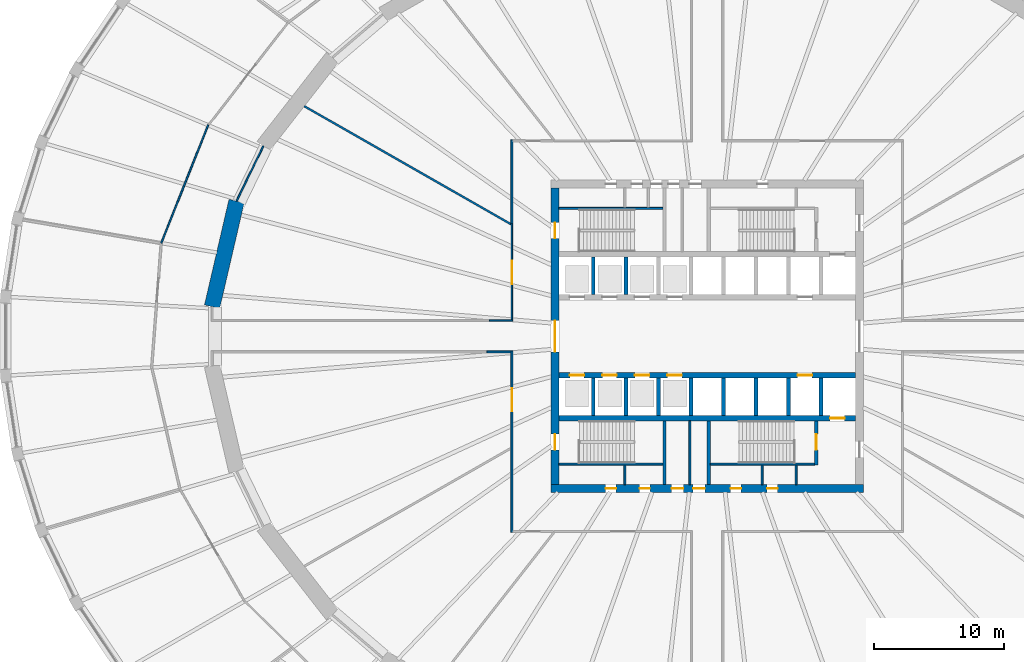
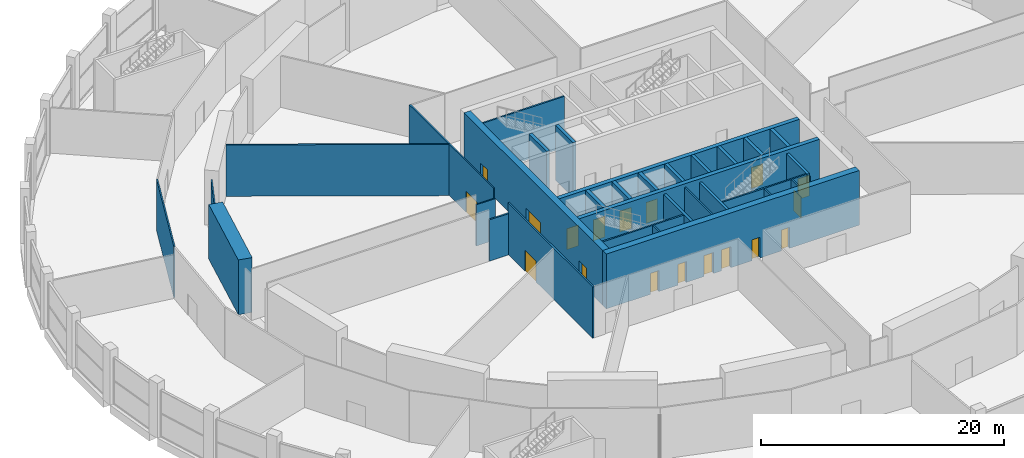
# One storey, part 21 of 29: 33 walls, 18 doors, 18 openings.
"""IFC4 building model written with IfcOpenShell, lengths in metres."""

import ifcopenshell
import ifcopenshell.guid

model = None  # the IFC model being written
_history = None  # IfcOwnerHistory: only IFC2X3 demands one
_inside = {}  # id of a spatial element -> (the spatial element, [elements in it])
_under = {}  # id of a project, library or spatial element -> (it, [spatial elements below it])
_declared = {}  # id of a project -> (the project, [libraries it declares])
_typed = {}  # id of a type object -> (the type object, [elements of that type])
_made_of = {}  # id of a material, layer set ... -> (it, [elements and type objects made of it])


def new_model(schema):
    """Start an empty IFC model of exactly this schema.

    Asked for "IFC4X3", IfcOpenShell would pick the latest addendum, in which some entities
    have other attributes; the version numbers below select the first issue.
    IFC2X3 requires an IfcOwnerHistory on every rooted entity: one is made here for all.
    """
    global model, _history
    if schema == "IFC4X3":
        model = ifcopenshell.file(schema_version=(4, 3, 0, 0))
    else:
        model = ifcopenshell.file(schema=schema)
    _inside.clear()
    _under.clear()
    _declared.clear()
    _typed.clear()
    _made_of.clear()
    _history = None
    if model.schema == "IFC2X3":
        org = make("IfcOrganization", Name="unknown")
        user = make(
            "IfcPersonAndOrganization",
            ThePerson=make("IfcPerson", FamilyName="unknown"),
            TheOrganization=org,
        )
        app = make(
            "IfcApplication",
            ApplicationDeveloper=org,
            Version="unknown",
            ApplicationFullName="unknown",
            ApplicationIdentifier="unknown",
        )
        _history = make(
            "IfcOwnerHistory",
            OwningUser=user,
            OwningApplication=app,
            ChangeAction="ADDED",
            CreationDate=0,
        )
    return model


def make(cls, **values):
    """One entity of the class cls with the attributes given. An attribute that is None is left unset."""
    return model.create_entity(
        cls, **{name: value for name, value in values.items() if value is not None}
    )


def rooted(cls, **values):
    """An entity with a GlobalId (a new one), such as an element, a storey or a relation."""
    return make(cls, GlobalId=ifcopenshell.guid.new(), OwnerHistory=_history, **values)


def si_unit(unit_type, name, prefix=None):
    """IfcSIUnit, for example si_unit("LENGTHUNIT", "METRE", prefix="MILLI")."""
    return make("IfcSIUnit", UnitType=unit_type, Prefix=prefix, Name=name)


def assignment(units):
    """IfcUnitAssignment: the units of a project."""
    return None if units is None else make("IfcUnitAssignment", Units=units)


def point(xyz):
    """IfcCartesianPoint."""
    return None if xyz is None else make("IfcCartesianPoint", Coordinates=xyz)


def direction(xyz):
    """IfcDirection."""
    return None if xyz is None else make("IfcDirection", DirectionRatios=xyz)


def frame(location, z_axis=None, x_axis=None):
    """IfcAxis2Placement3D, a coordinate frame: its origin and axes. An axis left out is left unset."""
    return make(
        "IfcAxis2Placement3D",
        Location=point(location),
        Axis=direction(z_axis),
        RefDirection=direction(x_axis),
    )


def frame_2d(location, x_axis=None):
    """IfcAxis2Placement2D, a coordinate frame in the plane: its origin and x axis."""
    return make(
        "IfcAxis2Placement2D", Location=point(location), RefDirection=direction(x_axis)
    )


def origin():
    """The frame at (0, 0, 0) with its axes left unset."""
    return frame((0.0, 0.0, 0.0))


def place(relative_to, where):
    """IfcLocalPlacement: puts the frame where relative to a parent placement (None: the world)."""
    return make(
        "IfcLocalPlacement", PlacementRelTo=relative_to, RelativePlacement=where
    )


def context(
    kind, dimensions, precision=None, world=None, true_north=None, identifier=None
):
    """IfcGeometricRepresentationContext, for example the 3D "Model" context."""
    return make(
        "IfcGeometricRepresentationContext",
        ContextIdentifier=identifier,
        ContextType=kind,
        CoordinateSpaceDimension=dimensions,
        Precision=precision,
        WorldCoordinateSystem=world,
        TrueNorth=true_north,
    )


def subcontext(parent, identifier, kind, view, scale=None):
    """IfcGeometricRepresentationSubContext, for example "Body" below "Model"."""
    return make(
        "IfcGeometricRepresentationSubContext",
        ContextIdentifier=identifier,
        ContextType=kind,
        ParentContext=parent,
        TargetScale=scale,
        TargetView=view,
    )


def project(units=None, contexts=None):
    """IfcProject with its units and contexts."""
    return rooted(
        "IfcProject",
        Name="project",
        RepresentationContexts=contexts,
        UnitsInContext=assignment(units),
    )


def spatial(cls, under=None, at=None, **own):
    """A site, building, storey or space (cls), placed at a placement, below another one or the project."""
    s = rooted(cls, ObjectPlacement=at, **own)
    if under is not None:
        _under.setdefault(under.id(), (under, []))[1].append(s)
    return s


def polyline(points):
    """IfcPolyline through the points."""
    return make("IfcPolyline", Points=[point(p) for p in points])


def profile(cls, at=None, kind="AREA", **sizes):
    """A parametric profile (cls). Its sizes go by their IFC names, for example OverallWidth=200.0."""
    return make(cls, ProfileType=kind, Position=at, **sizes)


def rectangle(**sizes):
    """IfcRectangleProfileDef."""
    return profile("IfcRectangleProfileDef", **sizes)


def outline(outer, holes=None, kind="AREA"):
    """IfcArbitraryClosedProfileDef: a profile drawn as a closed curve; with holes, ...WithVoids."""
    if holes is None:
        return make("IfcArbitraryClosedProfileDef", ProfileType=kind, OuterCurve=outer)
    return make(
        "IfcArbitraryProfileDefWithVoids",
        ProfileType=kind,
        OuterCurve=outer,
        InnerCurves=holes,
    )


def extrude(swept, where, along, depth):
    """IfcExtrudedAreaSolid: the profile swept, set in the frame where, extruded along a direction by depth."""
    return make(
        "IfcExtrudedAreaSolid",
        SweptArea=swept,
        Position=where,
        ExtrudedDirection=direction(along),
        Depth=depth,
    )


def shape(context_of_items, identifier, shape_type, items):
    """IfcShapeRepresentation: the items that make up one representation, for example the "Body"."""
    return make(
        "IfcShapeRepresentation",
        ContextOfItems=context_of_items,
        RepresentationIdentifier=identifier,
        RepresentationType=shape_type,
        Items=items,
    )


def material(Name=None, Category=None):
    """IfcMaterial."""
    return make("IfcMaterial", Name=Name, Category=Category)


def layer(
    of_material, thickness, ventilated=None, Name=None, Category=None, Priority=None
):
    """IfcMaterialLayer: one layer of a wall or slab, of a material (None: an air gap)."""
    return make(
        "IfcMaterialLayer",
        Material=of_material,
        LayerThickness=thickness,
        IsVentilated=ventilated,
        Name=Name,
        Category=Category,
        Priority=Priority,
    )


def layer_set(layers, Name=None):
    """IfcMaterialLayerSet."""
    return make("IfcMaterialLayerSet", MaterialLayers=layers, LayerSetName=Name)


def made_of(thing, what):
    """Note that an element or type object is made of a material, layer set ...; save() writes the relation."""
    if what is not None:
        _made_of.setdefault(what.id(), (what, []))[1].append(thing)
    return thing


def type_object(cls, material=None, **own):
    """A type object (cls), such as IfcWallType, which elements share."""
    return made_of(rooted(cls, **own), material)


def element(
    cls,
    number,
    at=None,
    inside=None,
    cuts=None,
    type_object=None,
    material=None,
    context=None,
    identifier="Body",
    shape_type=None,
    held_by="IfcProductDefinitionShape",
    body=None,
    shapes=None,
    **own,
):
    """One element of the class cls, such as IfcWall. Its Tag is "e" and its number.

    at: its placement. inside: the storey or other place that contains it. cuts: it is an
    opening in that element (IfcRelVoidsElement). A single representation is given by context,
    identifier, shape_type and body (its items); several are given by shapes. held_by: the class
    of the entity that holds the representations. save() writes the other relations.
    """
    e = rooted(cls, Tag="e%d" % number, ObjectPlacement=at, **own)
    if body is not None:
        shapes = [shape(context, identifier, shape_type, body)]
    if shapes is not None:
        e.Representation = make(held_by, Representations=shapes)
    if inside is not None:
        _inside.setdefault(inside.id(), (inside, []))[1].append(e)
    if cuts is not None:
        rooted(
            "IfcRelVoidsElement", RelatingBuildingElement=cuts, RelatedOpeningElement=e
        )
    if type_object is not None:
        _typed.setdefault(type_object.id(), (type_object, []))[1].append(e)
    return made_of(e, material)


def fill(opening, filler):
    """IfcRelFillsElement: the door or window that sits in an opening."""
    return rooted(
        "IfcRelFillsElement",
        RelatingOpeningElement=opening,
        RelatedBuildingElement=filler,
    )


def aggregate(whole, parts):
    """IfcRelAggregates: a whole, such as a stair, and the parts it consists of."""
    return rooted("IfcRelAggregates", RelatingObject=whole, RelatedObjects=parts)


def save(model, path):
    """Write the relations noted so far, then the file.

    IfcRelAggregates (storeys below a building ...), IfcRelContainedInSpatialStructure (elements
    in a storey), IfcRelDefinesByType, IfcRelAssociatesMaterial and IfcRelDeclares: one each for
    every whole, place, type object, material and project.
    """
    for whole, parts in _under.values():
        aggregate(whole, parts)
    for where, things in _inside.values():
        rooted(
            "IfcRelContainedInSpatialStructure",
            RelatedElements=things,
            RelatingStructure=where,
        )
    for kind, things in _typed.values():
        rooted("IfcRelDefinesByType", RelatedObjects=things, RelatingType=kind)
    for what, things in _made_of.values():
        rooted("IfcRelAssociatesMaterial", RelatedObjects=things, RelatingMaterial=what)
    for by, libraries in _declared.values():
        rooted("IfcRelDeclares", RelatingContext=by, RelatedDefinitions=libraries)
    model.write(path)


model = new_model("IFC4")

# Units and contexts
model_context = context("Model", 3, precision=1e-05, world=origin(), true_north=direction((0.0, 1.0)))
body_context = subcontext(model_context, "Body", "Model", "MODEL_VIEW")
ifc_project = project(units=[si_unit("LENGTHUNIT", "METRE"), si_unit("AREAUNIT", "SQUARE_METRE"), si_unit("VOLUMEUNIT", "CUBIC_METRE"), si_unit("PLANEANGLEUNIT", "RADIAN"), si_unit("MASSUNIT", "GRAM", prefix="KILO")], contexts=[model_context])

# Site, building, storey
site_placement = place(None, origin())
site = spatial("IfcSite", under=ifc_project, at=site_placement, CompositionType="ELEMENT")
building_placement = place(site_placement, origin())
building = spatial("IfcBuilding", under=site, at=building_placement, Name="Halqa Exchange Tower", CompositionType="ELEMENT")
storey_placement = place(building_placement, frame((0.0, 0.0, 12.5)))
storey = spatial("IfcBuildingStorey", under=building, at=storey_placement, Name="L02", CompositionType="ELEMENT", Elevation=12.5)

# Wall, opening, door
ifc_material_1 = material(Name="Fire-rated gypsum board")
ifc_layer_1 = layer(ifc_material_1, 0.14990234375)
ifc_layer_set_1 = layer_set([ifc_layer_1], Name="Fire-rated gypsum board")
wall_type_1 = type_object("IfcWallType", Name="Fire partition EI 60 150", PredefinedType="PARTITIONING", material=ifc_layer_set_1)
wall_1_placement = place(storey_placement, frame((-15.0, -15.074951171875, 0.0), z_axis=(0.0, 0.0, 1.0), x_axis=(0.0, 1.0, 0.0)))
wall_1 = element("IfcWall", 1, at=wall_1_placement, inside=storey, type_object=wall_type_1, Name="L02-PWL-028", PredefinedType="PARTITIONING", context=body_context, shape_type="SweptSolid", body=[
    extrude(rectangle(XDim=13.949951171875, YDim=0.14990234375, at=frame_2d((6.97509765625, 0.0))), origin(), (0.0, 0.0, 1.0), 5.14990234375),
])
opening_1_placement = place(wall_1_placement, frame((9.292724609375, 0.0, 0.0)))
opening_1 = element("IfcOpeningElement", 2, at=opening_1_placement, cuts=wall_1, Name="Opening L02-08", PredefinedType="OPENING", context=body_context, shape_type="SweptSolid", body=[
    extrude(rectangle(XDim=1.800048828125, YDim=2.10009765625, at=frame_2d((0.89990234375, 1.050048828125))), frame((0.0, 0.0869140625, 0.0), z_axis=(0.0, -1.0, 0.0), x_axis=(1.0, 0.0, 0.0)), (0.0, 0.0, 1.0), 0.173828125),
])
ifc_material_2 = material(Name="Steel fire door leaf", Category="steel")
door_type_1 = type_object("IfcDoorType", Name="Fire door FD30S double 1800 x 2100", OperationType="DOUBLE_DOOR_SINGLE_SWING", PredefinedType="DOOR", material=ifc_material_2)
door_1_placement = place(opening_1_placement, origin())
door_1 = element("IfcDoor", 3, at=door_1_placement, inside=storey, type_object=door_type_1, Name="L02-IDR-008", OperationType="DOUBLE_DOOR_SINGLE_SWING", OverallHeight=2.10009765625, OverallWidth=1.800048828125, PredefinedType="DOOR", context=body_context, shape_type="SweptSolid", body=[
    extrude(rectangle(XDim=1.800048828125, YDim=2.10009765625, at=frame_2d((0.89990234375, 1.050048828125))), frame((0.0, 0.02490234375, 0.0), z_axis=(0.0, -1.0, 0.0), x_axis=(1.0, 0.0, 0.0)), (0.0, 0.0, 1.0), 0.050048828125),
])
fill(opening_1, door_1)

# Walls
wall_2_placement = place(storey_placement, frame((-15.074951171875, -1.199951171875, 0.0), z_axis=(0.0, 0.0, 1.0), x_axis=(-1.0, 0.0, 0.0)))
element("IfcWall", 4, at=wall_2_placement, inside=storey, type_object=wall_type_1, Name="L02-PWL-030", PredefinedType="PARTITIONING", context=body_context, shape_type="SweptSolid", body=[
    extrude(rectangle(XDim=1.843017578125, YDim=0.14990234375, at=frame_2d((0.92138671875, 0.0))), origin(), (0.0, 0.0, 1.0), 4.14208984375),
])
wall_3_placement = place(storey_placement, frame((-15.06005859375, 8.59423828125, 0.0), z_axis=(0.0, 0.0, 1.0), x_axis=(-0.868344118251, 0.495962188376, 0.0)))
element("IfcWall", 5, at=wall_3_placement, inside=storey, type_object=wall_type_1, Name="L02-PWL-032", PredefinedType="PARTITIONING", context=body_context, shape_type="SweptSolid", body=[
    extrude(outline(polyline([(0.0, -0.074951171875), (18.286865234375, -0.074951171875), (18.308349609375, 0.074951171875), (0.0, 0.074951171875), (0.0, -0.074951171875)])), origin(), (0.0, 0.0, 1.0), 5.14990234375),
])
wall_4_placement = place(storey_placement, frame((-15.0, 8.56005859375, 0.0), z_axis=(0.0, 0.0, 1.0), x_axis=(0.0, 1.0, 0.0)))
element("IfcWall", 6, at=wall_4_placement, inside=storey, type_object=wall_type_1, Name="L02-PWL-033", PredefinedType="PARTITIONING", context=body_context, shape_type="SweptSolid", body=[
    extrude(rectangle(XDim=6.514892578125, YDim=0.14990234375, at=frame_2d((3.25732421875, 0.0))), origin(), (0.0, 0.0, 1.0), 5.14990234375),
])
ifc_material_3 = material(Name="Fire-rated glazing", Category="glass")
ifc_layer_2 = layer(ifc_material_3, 0.1201171875)
ifc_layer_set_2 = layer_set([ifc_layer_2], Name="Fire-rated glazing")
wall_type_2 = type_object("IfcWallType", Name="Glazed fire partition EI 60 120", PredefinedType="PARTITIONING", material=ifc_layer_set_2)
wall_5_placement = place(storey_placement, frame((-41.932373046875, 7.149169921875, 0.0), z_axis=(0.0, 0.0, 1.0), x_axis=(0.368547214989, 0.929609030896, 0.0)))
element("IfcWall", 7, at=wall_5_placement, inside=storey, type_object=wall_type_2, Name="L02-PWL-003", PredefinedType="PARTITIONING", context=body_context, shape_type="SweptSolid", body=[
    extrude(rectangle(XDim=9.7763671875, YDim=0.1201171875, at=frame_2d((4.88818359375, 0.0))), origin(), (0.0, 0.0, 1.0), 5.14990234375),
])
wall_6_placement = place(storey_placement, frame((-34.09716796875, 14.605712890625, 0.0), z_axis=(0.0, 0.0, 1.0), x_axis=(-0.436936398764, -0.899492403212, 0.0)))
element("IfcWall", 8, at=wall_6_placement, inside=storey, type_object=wall_type_2, Name="L02-PWL-015", PredefinedType="PARTITIONING", context=body_context, shape_type="SweptSolid", body=[
    extrude(outline(polyline([(-0.0126953125, -0.06005859375), (4.711669921875, -0.06005859375), (4.684326171875, 0.06005859375), (0.0126953125, 0.06005859375), (-0.0126953125, -0.06005859375)])), origin(), (0.0, 0.0, 1.0), 4.60009765625),
])

# Wall, opening, door
wall_7_placement = place(storey_placement, frame((-15.0, 1.260009765625, 0.0), z_axis=(0.0, 0.0, 1.0), x_axis=(0.0, 1.0, 0.0)))
wall_7 = element("IfcWall", 9, at=wall_7_placement, inside=storey, type_object=wall_type_2, Name="L02-PWL-031", PredefinedType="PARTITIONING", context=body_context, shape_type="SweptSolid", body=[
    extrude(rectangle(XDim=7.386474609375, YDim=0.1201171875, at=frame_2d((3.693359375, 0.0))), origin(), (0.0, 0.0, 1.0), 5.14990234375),
])
opening_2_placement = place(wall_7_placement, frame((2.722412109375, 0.0, 0.0)))
opening_2 = element("IfcOpeningElement", 10, at=opening_2_placement, cuts=wall_7, Name="Opening L02-07", PredefinedType="OPENING", context=body_context, shape_type="SweptSolid", body=[
    extrude(rectangle(XDim=1.800048828125, YDim=2.10009765625, at=frame_2d((0.89990234375, 1.050048828125))), frame((0.0, 0.072021484375, 0.0), z_axis=(0.0, -1.0, 0.0), x_axis=(1.0, 0.0, 0.0)), (0.0, 0.0, 1.0), 0.14404296875),
])
door_2_placement = place(opening_2_placement, origin())
door_2 = element("IfcDoor", 11, at=door_2_placement, inside=storey, type_object=door_type_1, Name="L02-IDR-007", OperationType="DOUBLE_DOOR_SINGLE_SWING", OverallHeight=2.10009765625, OverallWidth=1.800048828125, PredefinedType="DOOR", context=body_context, shape_type="SweptSolid", body=[
    extrude(rectangle(XDim=1.800048828125, YDim=2.10009765625, at=frame_2d((0.89990234375, 1.050048828125))), frame((0.0, 0.02490234375, 0.0), z_axis=(0.0, -1.0, 0.0), x_axis=(1.0, 0.0, 0.0)), (0.0, 0.0, 1.0), 0.050048828125),
])
fill(opening_2, door_2)

# Walls
wall_8_placement = place(storey_placement, frame((-16.740234375, 1.199951171875, 0.0), z_axis=(0.0, 0.0, 1.0), x_axis=(1.0, 0.0, 0.0)))
element("IfcWall", 12, at=wall_8_placement, inside=storey, type_object=wall_type_2, Name="L02-PWL-088", PredefinedType="PARTITIONING", context=body_context, shape_type="SweptSolid", body=[
    extrude(rectangle(XDim=1.80029296875, YDim=0.1201171875, at=frame_2d((0.900146484375, 0.0))), origin(), (0.0, 0.0, 1.0), 4.14208984375),
])
ifc_material_4 = material(Name="Gypsum board")
ifc_layer_3 = layer(ifc_material_4, 0.14990234375)
ifc_layer_set_3 = layer_set([ifc_layer_3], Name="Gypsum board")
wall_type_3 = type_object("IfcWallType", Name="Penthouse riser wall 150 gypsum", PredefinedType="PARTITIONING", material=ifc_layer_set_3)
wall_9_placement = place(storey_placement, frame((-1.324951171875, -11.39990234375, 0.0), z_axis=(0.0, 0.0, 1.0), x_axis=(0.0, 1.0, 0.0)))
element("IfcWall", 13, at=wall_9_placement, inside=storey, type_object=wall_type_3, Name="Partition W1.325 S", PredefinedType="PARTITIONING", context=body_context, shape_type="SweptSolid", body=[
    extrude(rectangle(XDim=4.89990234375, YDim=0.14990234375, at=frame_2d((2.449951171875, 0.0))), origin(), (0.0, 0.0, 1.0), 5.14990234375),
])
for number, where, z_axis, x_axis, name in (
    (14, (-6.324951171875, -11.39990234375, 0.0), (0.0, 0.0, 1.0), (0.0, 1.0, 0.0), "Partition W6.325 S"),
    (15, (4.22509765625, -11.39990234375, 0.0), (0.0, 0.0, 1.0), (0.0, 1.0, 0.0), "Partition E4.225 S"),
    (16, (6.824951171875, -11.39990234375, 0.0), (0.0, 0.0, 1.0), (0.0, 1.0, 0.0), "Firefighting lobby west wall S"),
):
    element("IfcWall", number, at=place(storey_placement, frame(where, z_axis=z_axis, x_axis=x_axis)), inside=storey, type_object=wall_type_3, Name=name, PredefinedType="PARTITIONING", context=body_context, shape_type="SweptSolid", body=[
        extrude(rectangle(XDim=1.5, YDim=0.14990234375, at=frame_2d((0.75, 0.0))), origin(), (0.0, 0.0, 1.0), 5.14990234375),
    ])
ifc_material_5 = material(Name="Concrete C60/75", Category="concrete")
ifc_layer_4 = layer(ifc_material_5, 0.300048828125)
ifc_layer_set_4 = layer_set([ifc_layer_4], Name="Concrete C60/75")
wall_type_4 = type_object("IfcWallType", Name="RC core wall 300", PredefinedType="SHEAR", material=ifc_layer_set_4)
for number, where, z_axis, x_axis, name in (
    (17, (-8.75, 3.199951171875, 0.0), (0.0, 0.0, 1.0), (0.0, 1.0, 0.0), "Shaft divider N1"),
    (18, (-6.25, 3.199951171875, 0.0), (0.0, 0.0, 1.0), (0.0, 1.0, 0.0), "Shaft divider N2"),
    (19, (-8.75, -6.10009765625, 0.0), (0.0, 0.0, 1.0), (0.0, 1.0, 0.0), "Shaft divider S1"),
    (20, (-6.25, -6.10009765625, 0.0), (0.0, 0.0, 1.0), (0.0, 1.0, 0.0), "Shaft divider S2"),
    (21, (-3.75, -6.10009765625, 0.0), (0.0, 0.0, 1.0), (0.0, 1.0, 0.0), "Shaft divider S3"),
    (22, (-1.25, -6.10009765625, 0.0), (0.0, 0.0, 1.0), (0.0, 1.0, 0.0), "Shaft divider S4"),
    (23, (1.25, -6.10009765625, 0.0), (0.0, 0.0, 1.0), (0.0, 1.0, 0.0), "Shaft divider S5"),
    (24, (3.75, -6.10009765625, 0.0), (0.0, 0.0, 1.0), (0.0, 1.0, 0.0), "Shaft divider S6"),
    (25, (6.25, -6.10009765625, 0.0), (0.0, 0.0, 1.0), (0.0, 1.0, 0.0), "Shaft divider S7"),
    (26, (8.75, -6.10009765625, 0.0), (0.0, 0.0, 1.0), (0.0, 1.0, 0.0), "Shaft divider S8"),
):
    element("IfcWall", number, at=place(storey_placement, frame(where, z_axis=z_axis, x_axis=x_axis)), inside=storey, type_object=wall_type_4, Name=name, PredefinedType="SHEAR", context=body_context, shape_type="SweptSolid", body=[
        extrude(rectangle(XDim=2.900146484375, YDim=0.300048828125, at=frame_2d((1.4501953125, 0.0))), origin(), (0.0, 0.0, 1.0), 5.5),
    ])

# Wall, openings, doors
ifc_material_6 = material(Name="Concrete C80/95", Category="concrete")
ifc_layer_5 = layer(ifc_material_6, 0.39990234375)
ifc_layer_set_5 = layer_set([ifc_layer_5], Name="Concrete C80/95")
wall_type_5 = type_object("IfcWallType", Name="RC core wall 400 C80/95", PredefinedType="SHEAR", material=ifc_layer_set_5)
wall_10_placement = place(storey_placement, frame((-11.39990234375, -3.0, 0.0), z_axis=(0.0, 0.0, 1.0), x_axis=(1.0, 0.0, 0.0)))
wall_10 = element("IfcWall", 27, at=wall_10_placement, inside=storey, type_object=wall_type_5, Name="Lift row front wall S", PredefinedType="SHEAR", context=body_context, shape_type="SweptSolid", body=[
    extrude(rectangle(XDim=22.7998046875, YDim=0.39990234375, at=frame_2d((11.39990234375, 0.0))), origin(), (0.0, 0.0, 1.0), 5.5),
])
opening_3_placement = place(wall_10_placement, frame((0.85009765625, 0.0, 0.0)))
opening_3 = element("IfcOpeningElement", 28, at=opening_3_placement, cuts=wall_10, Name="Opening LD-LR5-L02", PredefinedType="OPENING", context=body_context, shape_type="SweptSolid", body=[
    extrude(rectangle(XDim=1.10009765625, YDim=2.10009765625, at=frame_2d((0.550048828125, 1.050048828125))), frame((0.0, 0.2119140625, 0.0), z_axis=(0.0, -1.0, 0.0), x_axis=(1.0, 0.0, 0.0)), (0.0, 0.0, 1.0), 0.423828125),
])
opening_4_placement = place(wall_10_placement, frame((3.35009765625, 0.0, 0.0)))
opening_4 = element("IfcOpeningElement", 29, at=opening_4_placement, cuts=wall_10, Name="Opening LD-LR6-L02", PredefinedType="OPENING", context=body_context, shape_type="SweptSolid", body=[
    extrude(rectangle(XDim=1.10009765625, YDim=2.10009765625, at=frame_2d((0.550048828125, 1.050048828125))), frame((0.0, 0.2119140625, 0.0), z_axis=(0.0, -1.0, 0.0), x_axis=(1.0, 0.0, 0.0)), (0.0, 0.0, 1.0), 0.423828125),
])
opening_5_placement = place(wall_10_placement, frame((5.85009765625, 0.0, 0.0)))
opening_5 = element("IfcOpeningElement", 30, at=opening_5_placement, cuts=wall_10, Name="Opening LD-LR7-L02", PredefinedType="OPENING", context=body_context, shape_type="SweptSolid", body=[
    extrude(rectangle(XDim=1.10009765625, YDim=2.10009765625, at=frame_2d((0.550048828125, 1.050048828125))), frame((0.0, 0.2119140625, 0.0), z_axis=(0.0, -1.0, 0.0), x_axis=(1.0, 0.0, 0.0)), (0.0, 0.0, 1.0), 0.423828125),
])
opening_6_placement = place(wall_10_placement, frame((8.35009765625, 0.0, 0.0)))
opening_6 = element("IfcOpeningElement", 31, at=opening_6_placement, cuts=wall_10, Name="Opening LD-LR8-L02", PredefinedType="OPENING", context=body_context, shape_type="SweptSolid", body=[
    extrude(rectangle(XDim=1.10009765625, YDim=2.10009765625, at=frame_2d((0.550048828125, 1.050048828125))), frame((0.0, 0.2119140625, 0.0), z_axis=(0.0, -1.0, 0.0), x_axis=(1.0, 0.0, 0.0)), (0.0, 0.0, 1.0), 0.423828125),
])
opening_7_placement = place(wall_10_placement, frame((18.35009765625, 0.0, 0.0)))
opening_7 = element("IfcOpeningElement", 32, at=opening_7_placement, cuts=wall_10, Name="Opening LD-SV2-L02", PredefinedType="OPENING", context=body_context, shape_type="SweptSolid", body=[
    extrude(rectangle(XDim=1.10009765625, YDim=2.10009765625, at=frame_2d((0.550048828125, 1.050048828125))), frame((0.0, 0.2119140625, 0.0), z_axis=(0.0, -1.0, 0.0), x_axis=(1.0, 0.0, 0.0)), (0.0, 0.0, 1.0), 0.423828125),
])
ifc_material_7 = material(Name="Stainless steel", Category="steel")
door_type_2 = type_object("IfcDoorType", Name="Lift landing door 1100 x 2100", OperationType="SLIDING_TO_LEFT", PredefinedType="DOOR", material=ifc_material_7)
door_3_placement = place(opening_3_placement, origin())
door_3 = element("IfcDoor", 33, at=door_3_placement, inside=storey, type_object=door_type_2, Name="Lift landing door LR5", OperationType="SLIDING_TO_LEFT", OverallHeight=2.10009765625, OverallWidth=1.10009765625, PredefinedType="DOOR", context=body_context, shape_type="SweptSolid", body=[
    extrude(rectangle(XDim=1.10009765625, YDim=2.10009765625, at=frame_2d((0.550048828125, 1.050048828125))), frame((0.0, 0.02490234375, 0.0), z_axis=(0.0, -1.0, 0.0), x_axis=(1.0, 0.0, 0.0)), (0.0, 0.0, 1.0), 0.050048828125),
])
fill(opening_3, door_3)
door_4_placement = place(opening_4_placement, origin())
door_4 = element("IfcDoor", 34, at=door_4_placement, inside=storey, type_object=door_type_2, Name="Lift landing door LR6", OperationType="SLIDING_TO_LEFT", OverallHeight=2.10009765625, OverallWidth=1.10009765625, PredefinedType="DOOR", context=body_context, shape_type="SweptSolid", body=[
    extrude(rectangle(XDim=1.10009765625, YDim=2.10009765625, at=frame_2d((0.550048828125, 1.050048828125))), frame((0.0, 0.02490234375, 0.0), z_axis=(0.0, -1.0, 0.0), x_axis=(1.0, 0.0, 0.0)), (0.0, 0.0, 1.0), 0.050048828125),
])
fill(opening_4, door_4)
door_5_placement = place(opening_5_placement, origin())
door_5 = element("IfcDoor", 35, at=door_5_placement, inside=storey, type_object=door_type_2, Name="Lift landing door LR7", OperationType="SLIDING_TO_LEFT", OverallHeight=2.10009765625, OverallWidth=1.10009765625, PredefinedType="DOOR", context=body_context, shape_type="SweptSolid", body=[
    extrude(rectangle(XDim=1.10009765625, YDim=2.10009765625, at=frame_2d((0.550048828125, 1.050048828125))), frame((0.0, 0.02490234375, 0.0), z_axis=(0.0, -1.0, 0.0), x_axis=(1.0, 0.0, 0.0)), (0.0, 0.0, 1.0), 0.050048828125),
])
fill(opening_5, door_5)
door_6_placement = place(opening_6_placement, origin())
door_6 = element("IfcDoor", 36, at=door_6_placement, inside=storey, type_object=door_type_2, Name="Lift landing door LR8", OperationType="SLIDING_TO_LEFT", OverallHeight=2.10009765625, OverallWidth=1.10009765625, PredefinedType="DOOR", context=body_context, shape_type="SweptSolid", body=[
    extrude(rectangle(XDim=1.10009765625, YDim=2.10009765625, at=frame_2d((0.550048828125, 1.050048828125))), frame((0.0, 0.02490234375, 0.0), z_axis=(0.0, -1.0, 0.0), x_axis=(1.0, 0.0, 0.0)), (0.0, 0.0, 1.0), 0.050048828125),
])
fill(opening_6, door_6)
door_7_placement = place(opening_7_placement, origin())
door_7 = element("IfcDoor", 37, at=door_7_placement, inside=storey, type_object=door_type_2, Name="Lift landing door SV2", OperationType="SLIDING_TO_LEFT", OverallHeight=2.10009765625, OverallWidth=1.10009765625, PredefinedType="DOOR", context=body_context, shape_type="SweptSolid", body=[
    extrude(rectangle(XDim=1.10009765625, YDim=2.10009765625, at=frame_2d((0.550048828125, 1.050048828125))), frame((0.0, 0.02490234375, 0.0), z_axis=(0.0, -1.0, 0.0), x_axis=(1.0, 0.0, 0.0)), (0.0, 0.0, 1.0), 0.050048828125),
])
fill(opening_7, door_7)

# Wall, opening, door
wall_11_placement = place(storey_placement, frame((-11.39990234375, -6.300048828125, 0.0), z_axis=(0.0, 0.0, 1.0), x_axis=(1.0, 0.0, 0.0)))
wall_11 = element("IfcWall", 38, at=wall_11_placement, inside=storey, type_object=wall_type_5, Name="Lift row back wall S", PredefinedType="SHEAR", context=body_context, shape_type="SweptSolid", body=[
    extrude(rectangle(XDim=22.7998046875, YDim=0.39990234375, at=frame_2d((11.39990234375, 0.0))), origin(), (0.0, 0.0, 1.0), 5.5),
])
opening_8_placement = place(wall_11_placement, frame((20.85009765625, 0.0, 0.0)))
opening_8 = element("IfcOpeningElement", 39, at=opening_8_placement, cuts=wall_11, Name="Opening LD-FF2-L02", PredefinedType="OPENING", context=body_context, shape_type="SweptSolid", body=[
    extrude(rectangle(XDim=1.10009765625, YDim=2.10009765625, at=frame_2d((0.550048828125, 1.050048828125))), frame((0.0, 0.2119140625, 0.0), z_axis=(0.0, -1.0, 0.0), x_axis=(1.0, 0.0, 0.0)), (0.0, 0.0, 1.0), 0.423828125),
])
door_8_placement = place(opening_8_placement, origin())
door_8 = element("IfcDoor", 40, at=door_8_placement, inside=storey, type_object=door_type_2, Name="Lift landing door FF2", OperationType="SLIDING_TO_LEFT", OverallHeight=2.10009765625, OverallWidth=1.10009765625, PredefinedType="DOOR", context=body_context, shape_type="SweptSolid", body=[
    extrude(rectangle(XDim=1.10009765625, YDim=2.10009765625, at=frame_2d((0.550048828125, 1.050048828125))), frame((0.0, 0.02490234375, 0.0), z_axis=(0.0, -1.0, 0.0), x_axis=(1.0, 0.0, 0.0)), (0.0, 0.0, 1.0), 0.050048828125),
])
fill(opening_8, door_8)

# Wall, openings, doors
ifc_layer_6 = layer(ifc_material_6, 0.60009765625)
ifc_layer_set_6 = layer_set([ifc_layer_6], Name="Concrete C80/95")
wall_type_6 = type_object("IfcWallType", Name="RC core wall 600 C80/95", PredefinedType="SHEAR", material=ifc_layer_set_6)
wall_12_placement = place(storey_placement, frame((-12.0, -11.699951171875, 0.0), z_axis=(0.0, 0.0, 1.0), x_axis=(1.0, 0.0, 0.0)))
wall_12 = element("IfcWall", 41, at=wall_12_placement, inside=storey, type_object=wall_type_6, Name="Core wall south", PredefinedType="SHEAR", context=body_context, shape_type="SweptSolid", body=[
    extrude(rectangle(XDim=24.0, YDim=0.60009765625, at=frame_2d((12.0, 0.0))), origin(), (0.0, 0.0, 1.0), 5.5),
])
opening_9_placement = place(wall_12_placement, frame((9.27490234375, 0.0, 0.0)))
opening_9 = element("IfcOpeningElement", 42, at=opening_9_placement, cuts=wall_12, Name="Opening L02-C31", PredefinedType="OPENING", context=body_context, shape_type="SweptSolid", body=[
    extrude(rectangle(XDim=0.89990234375, YDim=2.10009765625, at=frame_2d((0.449951171875, 1.050048828125))), frame((0.0, 0.31201171875, 0.0), z_axis=(0.0, -1.0, 0.0), x_axis=(1.0, 0.0, 0.0)), (0.0, 0.0, 1.0), 0.6240234375),
])
opening_10_placement = place(wall_12_placement, frame((10.925048828125, 0.0, 0.0)))
opening_10 = element("IfcOpeningElement", 43, at=opening_10_placement, cuts=wall_12, Name="Opening L02-C32", PredefinedType="OPENING", context=body_context, shape_type="SweptSolid", body=[
    extrude(rectangle(XDim=0.89990234375, YDim=2.10009765625, at=frame_2d((0.449951171875, 1.050048828125))), frame((0.0, 0.31201171875, 0.0), z_axis=(0.0, -1.0, 0.0), x_axis=(1.0, 0.0, 0.0)), (0.0, 0.0, 1.0), 0.6240234375),
])
opening_11_placement = place(wall_12_placement, frame((4.199951171875, 0.0, 0.0)))
opening_11 = element("IfcOpeningElement", 44, at=opening_11_placement, cuts=wall_12, Name="Opening L02-C33", PredefinedType="OPENING", context=body_context, shape_type="SweptSolid", body=[
    extrude(rectangle(XDim=0.800048828125, YDim=2.10009765625, at=frame_2d((0.39990234375, 1.050048828125))), frame((0.0, 0.31201171875, 0.0), z_axis=(0.0, -1.0, 0.0), x_axis=(1.0, 0.0, 0.0)), (0.0, 0.0, 1.0), 0.6240234375),
])
opening_12_placement = place(wall_12_placement, frame((6.800048828125, 0.0, 0.0)))
opening_12 = element("IfcOpeningElement", 45, at=opening_12_placement, cuts=wall_12, Name="Opening L02-C34", PredefinedType="OPENING", context=body_context, shape_type="SweptSolid", body=[
    extrude(rectangle(XDim=0.800048828125, YDim=2.10009765625, at=frame_2d((0.39990234375, 1.050048828125))), frame((0.0, 0.31201171875, 0.0), z_axis=(0.0, -1.0, 0.0), x_axis=(1.0, 0.0, 0.0)), (0.0, 0.0, 1.0), 0.6240234375),
])
opening_13_placement = place(wall_12_placement, frame((13.800048828125, 0.0, 0.0)))
opening_13 = element("IfcOpeningElement", 46, at=opening_13_placement, cuts=wall_12, Name="Opening L02-C35", PredefinedType="OPENING", context=body_context, shape_type="SweptSolid", body=[
    extrude(rectangle(XDim=0.800048828125, YDim=2.10009765625, at=frame_2d((0.39990234375, 1.050048828125))), frame((0.0, 0.31201171875, 0.0), z_axis=(0.0, -1.0, 0.0), x_axis=(1.0, 0.0, 0.0)), (0.0, 0.0, 1.0), 0.6240234375),
])
opening_14_placement = place(wall_12_placement, frame((16.60009765625, 0.0, 0.0)))
opening_14 = element("IfcOpeningElement", 47, at=opening_14_placement, cuts=wall_12, Name="Opening L02-C36", PredefinedType="OPENING", context=body_context, shape_type="SweptSolid", body=[
    extrude(rectangle(XDim=0.800048828125, YDim=2.10009765625, at=frame_2d((0.39990234375, 1.050048828125))), frame((0.0, 0.31201171875, 0.0), z_axis=(0.0, -1.0, 0.0), x_axis=(1.0, 0.0, 0.0)), (0.0, 0.0, 1.0), 0.6240234375),
])
ifc_material_8 = material(Name="Timber fire door leaf", Category="wood")
door_type_3 = type_object("IfcDoorType", Name="Core room door FD30 900 x 2100", OperationType="SINGLE_SWING_LEFT", PredefinedType="DOOR", material=ifc_material_8)
door_9_placement = place(opening_9_placement, origin())
door_9 = element("IfcDoor", 48, at=door_9_placement, inside=storey, type_object=door_type_3, Name="Core room door", OperationType="SINGLE_SWING_RIGHT", OverallHeight=2.10009765625, OverallWidth=0.89990234375, PredefinedType="DOOR", context=body_context, shape_type="SweptSolid", body=[
    extrude(rectangle(XDim=0.89990234375, YDim=2.10009765625, at=frame_2d((0.449951171875, 1.050048828125))), frame((0.0, 0.02490234375, 0.0), z_axis=(0.0, -1.0, 0.0), x_axis=(1.0, 0.0, 0.0)), (0.0, 0.0, 1.0), 0.050048828125),
])
fill(opening_9, door_9)
door_10_placement = place(opening_10_placement, origin())
door_10 = element("IfcDoor", 49, at=door_10_placement, inside=storey, type_object=door_type_3, Name="Core room door", OperationType="SINGLE_SWING_RIGHT", OverallHeight=2.10009765625, OverallWidth=0.89990234375, PredefinedType="DOOR", context=body_context, shape_type="SweptSolid", body=[
    extrude(rectangle(XDim=0.89990234375, YDim=2.10009765625, at=frame_2d((0.449951171875, 1.050048828125))), frame((0.0, 0.02490234375, 0.0), z_axis=(0.0, -1.0, 0.0), x_axis=(1.0, 0.0, 0.0)), (0.0, 0.0, 1.0), 0.050048828125),
])
fill(opening_10, door_10)
door_type_4 = type_object("IfcDoorType", Name="Riser door FD60 800 x 2100", OperationType="SINGLE_SWING_LEFT", PredefinedType="DOOR", material=ifc_material_2)
door_11_placement = place(opening_11_placement, origin())
door_11 = element("IfcDoor", 50, at=door_11_placement, inside=storey, type_object=door_type_4, Name="Core room door", OperationType="SINGLE_SWING_LEFT", OverallHeight=2.10009765625, OverallWidth=0.800048828125, PredefinedType="DOOR", context=body_context, shape_type="SweptSolid", body=[
    extrude(rectangle(XDim=0.800048828125, YDim=2.10009765625, at=frame_2d((0.39990234375, 1.050048828125))), frame((0.0, 0.02490234375, 0.0), z_axis=(0.0, -1.0, 0.0), x_axis=(1.0, 0.0, 0.0)), (0.0, 0.0, 1.0), 0.050048828125),
])
fill(opening_11, door_11)
door_12_placement = place(opening_12_placement, origin())
door_12 = element("IfcDoor", 51, at=door_12_placement, inside=storey, type_object=door_type_4, Name="Core room door", OperationType="SINGLE_SWING_LEFT", OverallHeight=2.10009765625, OverallWidth=0.800048828125, PredefinedType="DOOR", context=body_context, shape_type="SweptSolid", body=[
    extrude(rectangle(XDim=0.800048828125, YDim=2.10009765625, at=frame_2d((0.39990234375, 1.050048828125))), frame((0.0, 0.02490234375, 0.0), z_axis=(0.0, -1.0, 0.0), x_axis=(1.0, 0.0, 0.0)), (0.0, 0.0, 1.0), 0.050048828125),
])
fill(opening_12, door_12)
door_13_placement = place(opening_13_placement, origin())
door_13 = element("IfcDoor", 52, at=door_13_placement, inside=storey, type_object=door_type_4, Name="Core room door", OperationType="SINGLE_SWING_LEFT", OverallHeight=2.10009765625, OverallWidth=0.800048828125, PredefinedType="DOOR", context=body_context, shape_type="SweptSolid", body=[
    extrude(rectangle(XDim=0.800048828125, YDim=2.10009765625, at=frame_2d((0.39990234375, 1.050048828125))), frame((0.0, 0.02490234375, 0.0), z_axis=(0.0, -1.0, 0.0), x_axis=(1.0, 0.0, 0.0)), (0.0, 0.0, 1.0), 0.050048828125),
])
fill(opening_13, door_13)
door_14_placement = place(opening_14_placement, origin())
door_14 = element("IfcDoor", 53, at=door_14_placement, inside=storey, type_object=door_type_4, Name="Core room door", OperationType="SINGLE_SWING_RIGHT", OverallHeight=2.10009765625, OverallWidth=0.800048828125, PredefinedType="DOOR", context=body_context, shape_type="SweptSolid", body=[
    extrude(rectangle(XDim=0.800048828125, YDim=2.10009765625, at=frame_2d((0.39990234375, 1.050048828125))), frame((0.0, 0.02490234375, 0.0), z_axis=(0.0, -1.0, 0.0), x_axis=(1.0, 0.0, 0.0)), (0.0, 0.0, 1.0), 0.050048828125),
])
fill(opening_14, door_14)

wall_13_placement = place(storey_placement, frame((-11.699951171875, -11.39990234375, 0.0), z_axis=(0.0, 0.0, 1.0), x_axis=(0.0, 1.0, 0.0)))
wall_13 = element("IfcWall", 54, at=wall_13_placement, inside=storey, type_object=wall_type_6, Name="Core wall west", PredefinedType="SHEAR", context=body_context, shape_type="SweptSolid", body=[
    extrude(rectangle(XDim=22.7998046875, YDim=0.60009765625, at=frame_2d((11.39990234375, 0.0))), origin(), (0.0, 0.0, 1.0), 5.5),
])
opening_15_placement = place(wall_13_placement, frame((10.199951171875, 0.0, 0.0)))
opening_15 = element("IfcOpeningElement", 55, at=opening_15_placement, cuts=wall_13, Name="Opening L02-C13", PredefinedType="OPENING", context=body_context, shape_type="SweptSolid", body=[
    extrude(rectangle(XDim=2.39990234375, YDim=2.10009765625, at=frame_2d((1.199951171875, 1.050048828125))), frame((0.0, 0.31201171875, 0.0), z_axis=(0.0, -1.0, 0.0), x_axis=(1.0, 0.0, 0.0)), (0.0, 0.0, 1.0), 0.6240234375),
])
opening_16_placement = place(wall_13_placement, frame((18.925048828125, 0.0, 0.0)))
opening_16 = element("IfcOpeningElement", 56, at=opening_16_placement, cuts=wall_13, Name="Opening L02-C19", PredefinedType="OPENING", context=body_context, shape_type="SweptSolid", body=[
    extrude(rectangle(XDim=1.199951171875, YDim=2.10009765625, at=frame_2d((0.60009765625, 1.050048828125))), frame((0.0, 0.31201171875, 0.0), z_axis=(0.0, -1.0, 0.0), x_axis=(1.0, 0.0, 0.0)), (0.0, 0.0, 1.0), 0.6240234375),
])
opening_17_placement = place(wall_13_placement, frame((2.675048828125, 0.0, 0.0)))
opening_17 = element("IfcOpeningElement", 57, at=opening_17_placement, cuts=wall_13, Name="Opening L02-C21", PredefinedType="OPENING", context=body_context, shape_type="SweptSolid", body=[
    extrude(rectangle(XDim=1.199951171875, YDim=2.10009765625, at=frame_2d((0.60009765625, 1.050048828125))), frame((0.0, 0.31201171875, 0.0), z_axis=(0.0, -1.0, 0.0), x_axis=(1.0, 0.0, 0.0)), (0.0, 0.0, 1.0), 0.6240234375),
])
door_type_5 = type_object("IfcDoorType", Name="Lobby double door FD60 2400 x 2100", OperationType="DOUBLE_DOOR_SINGLE_SWING", PredefinedType="DOOR", material=ifc_material_2)
door_15_placement = place(opening_15_placement, origin())
door_15 = element("IfcDoor", 58, at=door_15_placement, inside=storey, type_object=door_type_5, Name="Lift lobby double door", OperationType="DOUBLE_DOOR_SINGLE_SWING", OverallHeight=2.10009765625, OverallWidth=2.39990234375, PredefinedType="DOOR", context=body_context, shape_type="SweptSolid", body=[
    extrude(rectangle(XDim=2.39990234375, YDim=2.10009765625, at=frame_2d((1.199951171875, 1.050048828125))), frame((0.0, 0.02490234375, 0.0), z_axis=(0.0, -1.0, 0.0), x_axis=(1.0, 0.0, 0.0)), (0.0, 0.0, 1.0), 0.050048828125),
])
fill(opening_15, door_15)
door_type_6 = type_object("IfcDoorType", Name="Stair door FD90 1200 x 2100", OperationType="SINGLE_SWING_LEFT", PredefinedType="DOOR", material=ifc_material_2)
door_16_placement = place(opening_16_placement, frame((1.199951171875, 0.0, 0.0), z_axis=(0.0, 0.0, 1.0), x_axis=(-1.0, 0.0, 0.0)))
door_16 = element("IfcDoor", 59, at=door_16_placement, inside=storey, type_object=door_type_6, Name="Stair door ST1", OperationType="SINGLE_SWING_LEFT", OverallHeight=2.10009765625, OverallWidth=1.199951171875, PredefinedType="DOOR", context=body_context, shape_type="SweptSolid", body=[
    extrude(rectangle(XDim=1.199951171875, YDim=2.10009765625, at=frame_2d((0.60009765625, 1.050048828125))), frame((0.0, 0.02490234375, 0.0), z_axis=(0.0, -1.0, 0.0), x_axis=(1.0, 0.0, 0.0)), (0.0, 0.0, 1.0), 0.050048828125),
])
fill(opening_16, door_16)
door_17_placement = place(opening_17_placement, frame((1.199951171875, 0.0, 0.0), z_axis=(0.0, 0.0, 1.0), x_axis=(-1.0, 0.0, 0.0)))
door_17 = element("IfcDoor", 60, at=door_17_placement, inside=storey, type_object=door_type_6, Name="Stair door ST3", OperationType="SINGLE_SWING_RIGHT", OverallHeight=2.10009765625, OverallWidth=1.199951171875, PredefinedType="DOOR", context=body_context, shape_type="SweptSolid", body=[
    extrude(rectangle(XDim=1.199951171875, YDim=2.10009765625, at=frame_2d((0.60009765625, 1.050048828125))), frame((0.0, 0.02490234375, 0.0), z_axis=(0.0, -1.0, 0.0), x_axis=(1.0, 0.0, 0.0)), (0.0, 0.0, 1.0), 0.050048828125),
])
fill(opening_17, door_17)

# Walls
ifc_layer_7 = layer(ifc_material_6, 1.199951171875)
ifc_layer_set_7 = layer_set([ifc_layer_7], Name="Concrete C80/95")
wall_type_7 = type_object("IfcWallType", Name="RC ring pier 1200 C80/95", PredefinedType="SHEAR", material=ifc_layer_set_7)
wall_14_placement = place(storey_placement, frame((-36.14892578125, 10.38037109375, 0.0), z_axis=(0.0, 0.0, 1.0), x_axis=(-0.226058185805, -0.974113800657, 0.0)))
element("IfcWall", 61, at=wall_14_placement, inside=storey, type_object=wall_type_7, Name="Ring pier 8", PredefinedType="SHEAR", context=body_context, shape_type="SweptSolid", body=[
    extrude(rectangle(XDim=8.328857421875, YDim=1.199951171875, at=frame_2d((4.16455078125, 0.0))), origin(), (0.0, 0.0, 1.0), 5.5),
])
ifc_material_9 = material(Name="Concrete C30/37", Category="concrete")
ifc_layer_8 = layer(ifc_material_9, 0.14990234375)
ifc_layer_set_8 = layer_set([ifc_layer_8], Name="Concrete C30/37")
wall_type_8 = type_object("IfcWallType", Name="RC stair wall 150 C30/37", PredefinedType="SHEAR", material=ifc_layer_set_8)
for number, where, z_axis, x_axis, name in (
    (62, (-11.39990234375, 9.824951171875, 0.0), (0.0, 0.0, 1.0), (1.0, 0.0, 0.0), "Stair ST1 north wall N"),
    (63, (-11.39990234375, -9.824951171875, 0.0), (0.0, 0.0, 1.0), (1.0, 0.0, 0.0), "Stair ST1 north wall S"),
    (64, (0.25, -9.824951171875, 0.0), (0.0, 0.0, 1.0), (1.0, 0.0, 0.0), "Stair ST2 north wall S"),
):
    element("IfcWall", number, at=place(storey_placement, frame(where, z_axis=z_axis, x_axis=x_axis)), inside=storey, type_object=wall_type_8, Name=name, PredefinedType="SHEAR", context=body_context, shape_type="SweptSolid", body=[
        extrude(rectangle(XDim=8.0, YDim=0.14990234375, at=frame_2d((4.0, 0.0))), origin(), (0.0, 0.0, 1.0), 5.14990234375),
    ])
ifc_layer_9 = layer(ifc_material_9, 0.25)
ifc_layer_set_9 = layer_set([ifc_layer_9], Name="Concrete C30/37")
wall_type_9 = type_object("IfcWallType", Name="RC stair wall 250 C30/37", PredefinedType="SHEAR", material=ifc_layer_set_9)
for number, where, z_axis, x_axis, name in (
    (65, (-3.27490234375, -11.39990234375, 0.0), (0.0, 0.0, 1.0), (0.0, 1.0, 0.0), "Stair ST1 east wall S"),
    (66, (0.125, -11.39990234375, 0.0), (0.0, 0.0, 1.0), (0.0, 1.0, 0.0), "Stair ST2 west wall S"),
):
    element("IfcWall", number, at=place(storey_placement, frame(where, z_axis=z_axis, x_axis=x_axis)), inside=storey, type_object=wall_type_9, Name=name, PredefinedType="SHEAR", context=body_context, shape_type="SweptSolid", body=[
        extrude(rectangle(XDim=4.89990234375, YDim=0.25, at=frame_2d((2.449951171875, 0.0))), origin(), (0.0, 0.0, 1.0), 5.14990234375),
    ])

# Wall, opening, door
wall_15_placement = place(storey_placement, frame((8.375, -9.89990234375, 0.0), z_axis=(0.0, 0.0, 1.0), x_axis=(0.0, 1.0, 0.0)))
wall_15 = element("IfcWall", 67, at=wall_15_placement, inside=storey, type_object=wall_type_9, Name="Stair ST2 east wall S", PredefinedType="SHEAR", context=body_context, shape_type="SweptSolid", body=[
    extrude(rectangle(XDim=3.39990234375, YDim=0.25, at=frame_2d((1.699951171875, 0.0))), origin(), (0.0, 0.0, 1.0), 5.14990234375),
])
opening_18_placement = place(wall_15_placement, frame((1.175048828125, 0.0, 0.0)))
opening_18 = element("IfcOpeningElement", 68, at=opening_18_placement, cuts=wall_15, Name="Opening L02-C22", PredefinedType="OPENING", context=body_context, shape_type="SweptSolid", body=[
    extrude(rectangle(XDim=1.199951171875, YDim=2.10009765625, at=frame_2d((0.60009765625, 1.050048828125))), frame((0.0, 0.136962890625, 0.0), z_axis=(0.0, -1.0, 0.0), x_axis=(1.0, 0.0, 0.0)), (0.0, 0.0, 1.0), 0.27392578125),
])
door_18_placement = place(opening_18_placement, origin())
door_18 = element("IfcDoor", 69, at=door_18_placement, inside=storey, type_object=door_type_6, Name="Stair door ST4", OperationType="SINGLE_SWING_LEFT", OverallHeight=2.10009765625, OverallWidth=1.199951171875, PredefinedType="DOOR", context=body_context, shape_type="SweptSolid", body=[
    extrude(rectangle(XDim=1.199951171875, YDim=2.10009765625, at=frame_2d((0.60009765625, 1.050048828125))), frame((0.0, 0.02490234375, 0.0), z_axis=(0.0, -1.0, 0.0), x_axis=(1.0, 0.0, 0.0)), (0.0, 0.0, 1.0), 0.050048828125),
])
fill(opening_18, door_18)

save(model, "model.ifc")
